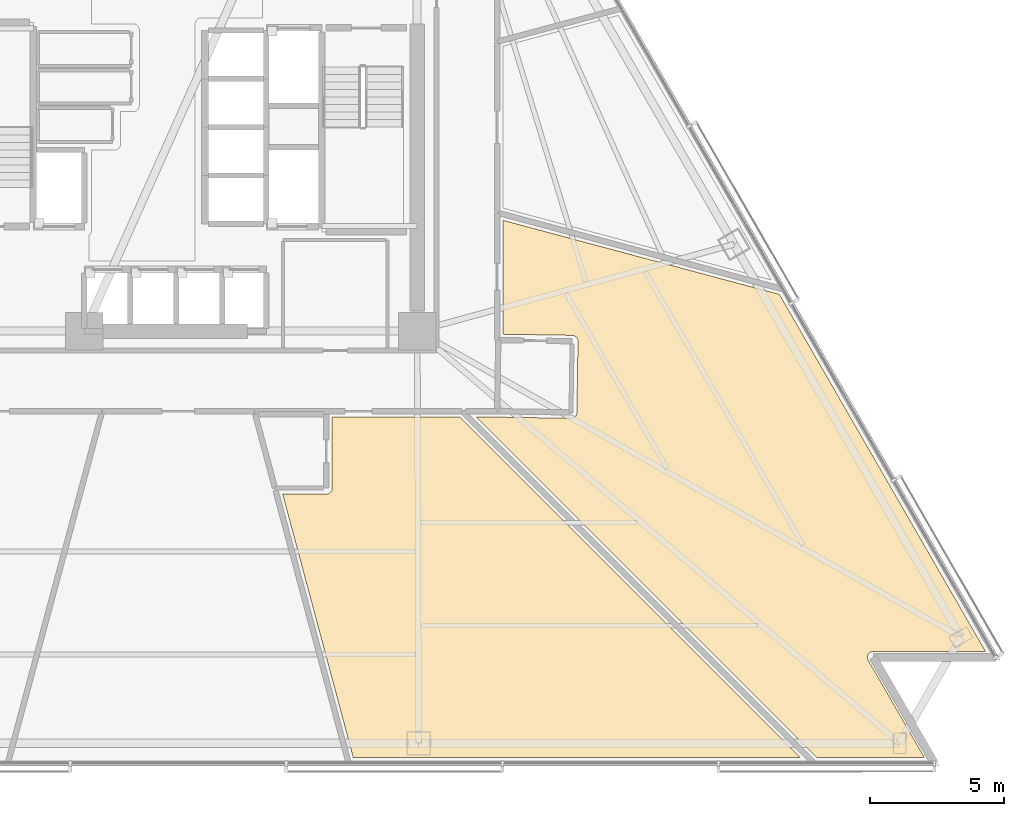
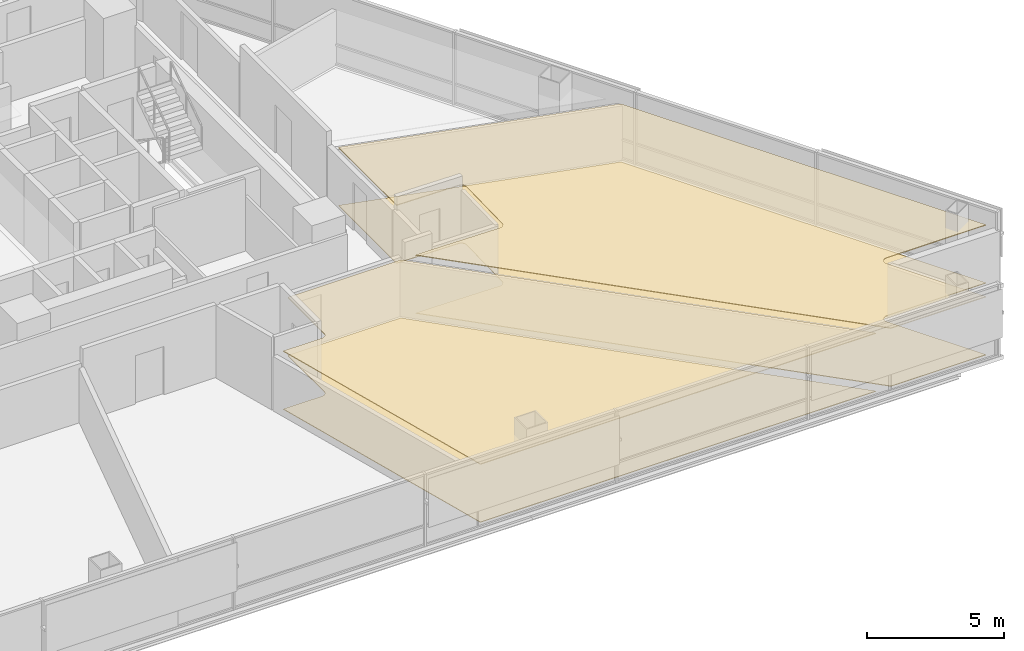
# One storey, part 14 of 16: 4 coverings.
"""IFC4 building model written with IfcOpenShell, lengths in metres."""

from ifc_helpers import new_model, si_unit, direction, frame, origin, place, context, subcontext, project, spatial, polyline, outline, extrude, material, layer, layer_set, type_object, element, save


model = new_model("IFC4")

# Units and contexts
model_context = context("Model", 3, precision=1e-05, world=origin(), true_north=direction((0.0, 1.0)))
body_context = subcontext(model_context, "Body", "Model", "MODEL_VIEW")
ifc_project = project(units=[si_unit("LENGTHUNIT", "METRE"), si_unit("AREAUNIT", "SQUARE_METRE"), si_unit("VOLUMEUNIT", "CUBIC_METRE"), si_unit("PLANEANGLEUNIT", "RADIAN"), si_unit("MASSUNIT", "GRAM", prefix="KILO")], contexts=[model_context])

# Site, building, storey
site_placement = place(None, origin())
site = spatial("IfcSite", under=ifc_project, at=site_placement, CompositionType="ELEMENT")
building_placement = place(site_placement, origin())
building = spatial("IfcBuilding", under=site, at=building_placement, Name="Tharavind Bronze Gate", CompositionType="ELEMENT")
storey_placement = place(building_placement, frame((0.0, 0.0, 48.85009765625)))
storey = spatial("IfcBuildingStorey", under=building, at=storey_placement, Name="L11", CompositionType="ELEMENT", Elevation=48.85009765625)

# Coverings
ifc_material_1 = material(Name="Engineered Oak & Carpet Tile", Category="wood")
ifc_layer_1 = layer(ifc_material_1, 0.02490234375)
ifc_layer_set_1 = layer_set([ifc_layer_1], Name="Engineered Oak & Carpet Tile")
covering_type_1 = type_object("IfcCoveringType", Name="ENGINEERED TIMBER FLOORING", PredefinedType="FLOORING", material=ifc_layer_set_1)
covering_1_placement = place(storey_placement, origin())
element("IfcCovering", 1, at=covering_1_placement, inside=storey, type_object=covering_type_1, Name="L11-RM-10 floor finish", PredefinedType="FLOORING", context=body_context, shape_type="SweptSolid", body=[
    extrude(outline(polyline([(5.737060546875, -13.449951171875), (5.736083984375, -13.4716796875), (5.73291015625, -13.492919921875), (5.7275390625, -13.513916015625), (5.72021484375, -13.5341796875), (5.711181640625, -13.5537109375), (5.699951171875, -13.572265625), (5.68701171875, -13.589599609375), (5.672607421875, -13.605712890625), (5.656494140625, -13.6201171875), (5.639404296875, -13.6328125), (5.620849609375, -13.64404296875), (5.601318359375, -13.6533203125), (5.580810546875, -13.660400390625), (5.56005859375, -13.665771484375), (5.53857421875, -13.6689453125), (5.51708984375, -13.669921875), (3.890625, -13.669921875), (6.519287109375, -23.47998046875), (23.1689453125, -23.47998046875), (10.489013671875, -10.800048828125), (5.737060546875, -10.800048828125), (5.737060546875, -13.449951171875)])), origin(), (0.0, 0.0, 1.0), 0.02490234375),
])
covering_2_placement = place(storey_placement, origin())
element("IfcCovering", 2, at=covering_2_placement, inside=storey, type_object=covering_type_1, Name="L11-RM-11 floor finish", PredefinedType="FLOORING", context=body_context, shape_type="SweptSolid", body=[
    extrude(outline(polyline([(23.791015625, -23.47998046875), (27.794677734375, -23.47998046875), (25.70556640625, -19.861328125), (25.7001953125, -19.851806640625), (25.7001953125, -19.851318359375), (25.691162109375, -19.831298828125), (25.68408203125, -19.810546875), (25.67919921875, -19.7890625), (25.676513671875, -19.767333984375), (25.67578125, -19.745361328125), (25.677490234375, -19.7236328125), (25.681396484375, -19.701904296875), (25.687255859375, -19.680908203125), (25.6953125, -19.660400390625), (25.705322265625, -19.640869140625), (25.71728515625, -19.62255859375), (25.73095703125, -19.60546875), (25.74609375, -19.589599609375), (25.762939453125, -19.57568359375), (25.781005859375, -19.563232421875), (25.80029296875, -19.552734375), (25.820556640625, -19.544189453125), (25.841552734375, -19.53759765625), (25.863037109375, -19.533447265625), (25.885009765625, -19.53125), (25.885498046875, -19.53125), (25.896484375, -19.531005859375), (30.07470703125, -19.531005859375), (22.39453125, -6.228271484375), (12.10009765625, -3.469970703125), (12.10009765625, -7.713134765625), (14.676513671875, -7.755126953125), (14.697998046875, -7.756591796875), (14.71923828125, -7.760009765625), (14.739990234375, -7.765625), (14.76025390625, -7.773193359375), (14.779541015625, -7.78271484375), (14.798095703125, -7.794189453125), (14.815185546875, -7.807373046875), (14.830810546875, -7.822021484375), (14.84521484375, -7.83837890625), (14.857666015625, -7.85595703125), (14.868408203125, -7.87451171875), (14.87744140625, -7.894287109375), (14.88427734375, -7.914794921875), (14.88916015625, -7.935791015625), (14.89208984375, -7.95703125), (14.892822265625, -7.978759765625), (14.849609375, -10.62841796875), (14.84814453125, -10.64990234375), (14.8447265625, -10.671142578125), (14.839111328125, -10.692138671875), (14.83154296875, -10.71240234375), (14.822021484375, -10.731689453125), (14.810546875, -10.75), (14.79736328125, -10.76708984375), (14.78271484375, -10.782958984375), (14.766357421875, -10.797119140625), (14.748779296875, -10.809814453125), (14.72998046875, -10.820556640625), (14.71044921875, -10.829345703125), (14.68994140625, -10.836181640625), (14.6689453125, -10.84130859375), (14.647705078125, -10.843994140625), (14.6259765625, -10.8447265625), (11.877685546875, -10.800048828125), (11.111083984375, -10.800048828125), (23.791015625, -23.47998046875)])), origin(), (0.0, 0.0, 1.0), 0.02490234375),
])
ifc_material_2 = material(Name="Acoustic Gypsum Board", Category="gypsum")
ifc_layer_2 = layer(ifc_material_2, 0.030029296875)
ifc_layer_set_2 = layer_set([ifc_layer_2], Name="Acoustic Gypsum Board")
covering_type_2 = type_object("IfcCoveringType", Name="GYPSUM SUSPENDED CEILING", PredefinedType="CEILING", material=ifc_layer_set_2)
covering_3_placement = place(storey_placement, frame((0.0, 0.0, 2.574951171875)))
element("IfcCovering", 3, at=covering_3_placement, inside=storey, type_object=covering_type_2, Name="L11-RM-10 suspended ceiling", PredefinedType="CEILING", context=body_context, shape_type="SweptSolid", body=[
    extrude(outline(polyline([(5.737060546875, -13.449951171875), (5.736083984375, -13.4716796875), (5.73291015625, -13.492919921875), (5.7275390625, -13.513916015625), (5.72021484375, -13.5341796875), (5.711181640625, -13.5537109375), (5.699951171875, -13.572265625), (5.68701171875, -13.589599609375), (5.672607421875, -13.605712890625), (5.656494140625, -13.6201171875), (5.639404296875, -13.6328125), (5.620849609375, -13.64404296875), (5.601318359375, -13.6533203125), (5.580810546875, -13.660400390625), (5.56005859375, -13.665771484375), (5.53857421875, -13.6689453125), (5.51708984375, -13.669921875), (3.890625, -13.669921875), (6.519287109375, -23.47998046875), (23.1689453125, -23.47998046875), (10.489013671875, -10.800048828125), (5.737060546875, -10.800048828125), (5.737060546875, -13.449951171875)])), origin(), (0.0, 0.0, 1.0), 0.034912109375),
])
covering_4_placement = place(storey_placement, frame((0.0, 0.0, 2.574951171875)))
element("IfcCovering", 4, at=covering_4_placement, inside=storey, type_object=covering_type_2, Name="L11-RM-11 suspended ceiling", PredefinedType="CEILING", context=body_context, shape_type="SweptSolid", body=[
    extrude(outline(polyline([(23.791015625, -23.47998046875), (27.794677734375, -23.47998046875), (25.70556640625, -19.861328125), (25.7001953125, -19.851806640625), (25.7001953125, -19.851318359375), (25.691162109375, -19.831298828125), (25.68408203125, -19.810546875), (25.67919921875, -19.7890625), (25.676513671875, -19.767333984375), (25.67578125, -19.745361328125), (25.677490234375, -19.7236328125), (25.681396484375, -19.701904296875), (25.687255859375, -19.680908203125), (25.6953125, -19.660400390625), (25.705322265625, -19.640869140625), (25.71728515625, -19.62255859375), (25.73095703125, -19.60546875), (25.74609375, -19.589599609375), (25.762939453125, -19.57568359375), (25.781005859375, -19.563232421875), (25.80029296875, -19.552734375), (25.820556640625, -19.544189453125), (25.841552734375, -19.53759765625), (25.863037109375, -19.533447265625), (25.885009765625, -19.53125), (25.885498046875, -19.53125), (25.896484375, -19.531005859375), (30.07470703125, -19.531005859375), (22.39453125, -6.228271484375), (12.10009765625, -3.469970703125), (12.10009765625, -7.713134765625), (14.676513671875, -7.755126953125), (14.697998046875, -7.756591796875), (14.71923828125, -7.760009765625), (14.739990234375, -7.765625), (14.76025390625, -7.773193359375), (14.779541015625, -7.78271484375), (14.798095703125, -7.794189453125), (14.815185546875, -7.807373046875), (14.830810546875, -7.822021484375), (14.84521484375, -7.83837890625), (14.857666015625, -7.85595703125), (14.868408203125, -7.87451171875), (14.87744140625, -7.894287109375), (14.88427734375, -7.914794921875), (14.88916015625, -7.935791015625), (14.89208984375, -7.95703125), (14.892822265625, -7.978759765625), (14.849609375, -10.62841796875), (14.84814453125, -10.64990234375), (14.8447265625, -10.671142578125), (14.839111328125, -10.692138671875), (14.83154296875, -10.71240234375), (14.822021484375, -10.731689453125), (14.810546875, -10.75), (14.79736328125, -10.76708984375), (14.78271484375, -10.782958984375), (14.766357421875, -10.797119140625), (14.748779296875, -10.809814453125), (14.72998046875, -10.820556640625), (14.71044921875, -10.829345703125), (14.68994140625, -10.836181640625), (14.6689453125, -10.84130859375), (14.647705078125, -10.843994140625), (14.6259765625, -10.8447265625), (11.877685546875, -10.800048828125), (11.111083984375, -10.800048828125), (23.791015625, -23.47998046875)])), origin(), (0.0, 0.0, 1.0), 0.034912109375),
])

save(model, "model.ifc")
